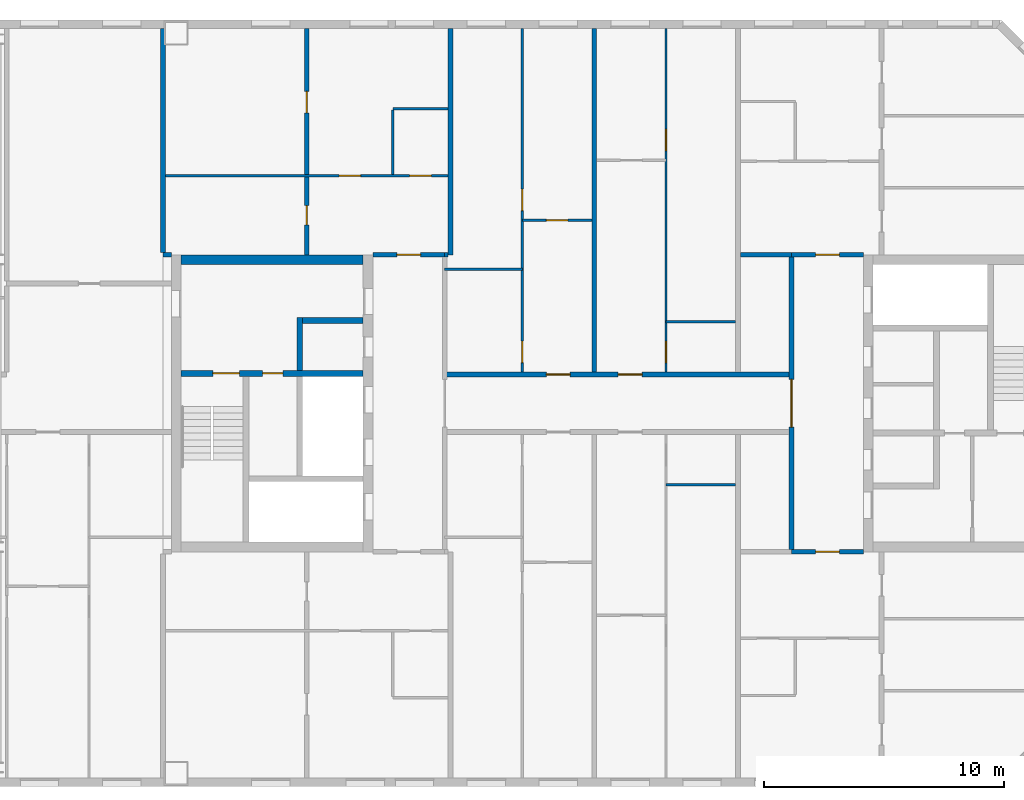
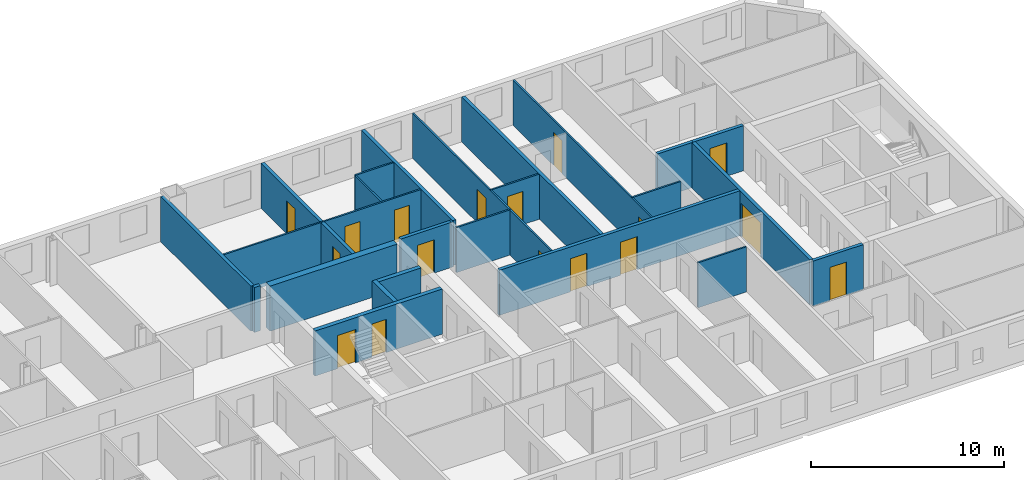
# One storey, part 15 of 19: 25 walls, 17 doors, 17 openings.
"""IFC4 building model written with IfcOpenShell, lengths in metres."""

from ifc_helpers import new_model, si_unit, direction, frame, frame_2d, origin, place, context, subcontext, project, spatial, rectangle, extrude, material, layer, layer_set, type_object, element, fill, save


model = new_model("IFC4")

# Units and contexts
model_context = context("Model", 3, precision=1e-05, world=origin(), true_north=direction((0.0, 1.0)))
body_context = subcontext(model_context, "Body", "Model", "MODEL_VIEW")
ifc_project = project(units=[si_unit("LENGTHUNIT", "METRE"), si_unit("AREAUNIT", "SQUARE_METRE"), si_unit("VOLUMEUNIT", "CUBIC_METRE"), si_unit("PLANEANGLEUNIT", "RADIAN"), si_unit("MASSUNIT", "GRAM", prefix="KILO")], contexts=[model_context])

# Site, building, storey
site_placement = place(None, origin())
site = spatial("IfcSite", under=ifc_project, at=site_placement, CompositionType="ELEMENT")
building_placement = place(site_placement, origin())
building = spatial("IfcBuilding", under=site, at=building_placement, Name="Tuart Gate Housing", CompositionType="ELEMENT")
storey_placement = place(building_placement, frame((0.0, 0.0, 212.10009765625)))
storey = spatial("IfcBuildingStorey", under=building, at=storey_placement, Name="L60", CompositionType="ELEMENT", Elevation=212.10009765625)

# Wall, openings, doors
ifc_material_1 = material(Name="Concrete C40", Category="concrete")
ifc_layer_1 = layer(ifc_material_1, 0.25)
ifc_layer_set_1 = layer_set([ifc_layer_1], Name="Core wall 250 C40")
wall_type_1 = type_object("IfcWallType", Name="Core wall 250 C40", PredefinedType="SHEAR", material=ifc_layer_set_1)
wall_1_placement = place(storey_placement, frame((139.360107421875, 71.25, 0.0), z_axis=(0.0, 0.0, 1.0), x_axis=(-1.0, 0.0, 0.0)))
wall_1 = element("IfcWall", 1, at=wall_1_placement, inside=storey, type_object=wall_type_1, Name="Core wall BG.2", PredefinedType="SHEAR", context=body_context, shape_type="SweptSolid", body=[
    extrude(rectangle(XDim=7.60009765625, YDim=0.25, at=frame_2d((3.800048828125, 0.0))), origin(), (0.0, 0.0, 1.0), 2.849853515625),
])
opening_1_placement = place(wall_1_placement, frame((5.175048828125, 0.0, 0.0)))
opening_1 = element("IfcOpeningElement", 2, at=opening_1_placement, cuts=wall_1, Name="Opening D2242", PredefinedType="OPENING", context=body_context, shape_type="SweptSolid", body=[
    extrude(rectangle(XDim=1.10009765625, YDim=2.10009765625, at=frame_2d((0.550048828125, 1.050048828125))), frame((0.0, 0.135009765625, 0.0), z_axis=(0.0, -1.0, 0.0), x_axis=(1.0, 0.0, 0.0)), (0.0, 0.0, 1.0), 0.27001953125),
])
opening_2_placement = place(wall_1_placement, frame((3.35009765625, 0.0, 0.0)))
opening_2 = element("IfcOpeningElement", 3, at=opening_2_placement, cuts=wall_1, Name="Opening D2241", PredefinedType="OPENING", context=body_context, shape_type="SweptSolid", body=[
    extrude(rectangle(XDim=0.85009765625, YDim=2.10009765625, at=frame_2d((0.425048828125, 1.050048828125))), frame((0.0, 0.135009765625, 0.0), z_axis=(0.0, -1.0, 0.0), x_axis=(1.0, 0.0, 0.0)), (0.0, 0.0, 1.0), 0.27001953125),
])
ifc_material_2 = material(Name="Steel fire door", Category="steel")
door_type_1 = type_object("IfcDoorType", Name="Riser door 850 x 2100", OperationType="SINGLE_SWING_LEFT", PredefinedType="DOOR", material=ifc_material_2)
door_1_placement = place(opening_2_placement, origin())
door_1 = element("IfcDoor", 4, at=door_1_placement, inside=storey, type_object=door_type_1, Name="Service room door BG.W1", OperationType="SINGLE_SWING_LEFT", OverallHeight=2.10009765625, OverallWidth=0.85009765625, PredefinedType="DOOR", context=body_context, shape_type="SweptSolid", body=[
    extrude(rectangle(XDim=0.85009765625, YDim=2.10009765625, at=frame_2d((0.425048828125, 1.050048828125))), frame((0.0, 0.02490234375, 0.0), z_axis=(0.0, -1.0, 0.0), x_axis=(1.0, 0.0, 0.0)), (0.0, 0.0, 1.0), 0.050048828125),
])
fill(opening_2, door_1)
ifc_material_3 = material(Name="Steel fire door", Category="steel")
door_type_2 = type_object("IfcDoorType", Name="Stair door 1100 x 2100", OperationType="SINGLE_SWING_LEFT", PredefinedType="DOOR", material=ifc_material_3)
door_2_placement = place(opening_1_placement, origin())
door_2 = element("IfcDoor", 5, at=door_2_placement, inside=storey, type_object=door_type_2, Name="Stair door BG.SD", OperationType="SINGLE_SWING_LEFT", OverallHeight=2.10009765625, OverallWidth=1.10009765625, PredefinedType="DOOR", context=body_context, shape_type="SweptSolid", body=[
    extrude(rectangle(XDim=1.10009765625, YDim=2.10009765625, at=frame_2d((0.550048828125, 1.050048828125))), frame((0.0, 0.02490234375, 0.0), z_axis=(0.0, -1.0, 0.0), x_axis=(1.0, 0.0, 0.0)), (0.0, 0.0, 1.0), 0.050048828125),
])
fill(opening_1, door_2)

# Walls
wall_2_placement = place(storey_placement, frame((139.360107421875, 73.449951171875, 0.0), z_axis=(0.0, 0.0, 1.0), x_axis=(-1.0, 0.0, 0.0)))
element("IfcWall", 6, at=wall_2_placement, inside=storey, type_object=wall_type_1, Name="Core wall BG.3", PredefinedType="SHEAR", context=body_context, shape_type="SweptSolid", body=[
    extrude(rectangle(XDim=2.525146484375, YDim=0.25, at=frame_2d((1.2626953125, 0.0))), origin(), (0.0, 0.0, 1.0), 2.849853515625),
])
wall_3_placement = place(storey_placement, frame((136.7099609375, 71.375, 0.0), z_axis=(0.0, 0.0, 1.0), x_axis=(0.0, 1.0, 0.0)))
element("IfcWall", 7, at=wall_3_placement, inside=storey, type_object=wall_type_1, Name="Core wall BG.5", PredefinedType="SHEAR", context=body_context, shape_type="SweptSolid", body=[
    extrude(rectangle(XDim=2.199951171875, YDim=0.25, at=frame_2d((1.10009765625, 0.0))), origin(), (0.0, 0.0, 1.0), 2.849853515625),
])
ifc_material_4 = material(Name="Concrete C40", Category="concrete")
ifc_layer_2 = layer(ifc_material_4, 0.39990234375)
ifc_layer_set_2 = layer_set([ifc_layer_2], Name="Core wall 400 C40")
wall_type_2 = type_object("IfcWallType", Name="Core wall 400 C40", PredefinedType="SHEAR", material=ifc_layer_set_2)
wall_4_placement = place(storey_placement, frame((139.360107421875, 76.0, 0.0), z_axis=(0.0, 0.0, 1.0), x_axis=(-1.0, 0.0, 0.0)))
element("IfcWall", 8, at=wall_4_placement, inside=storey, type_object=wall_type_2, Name="Core wall BG north", PredefinedType="SHEAR", context=body_context, shape_type="SweptSolid", body=[
    extrude(rectangle(XDim=7.60009765625, YDim=0.39990234375, at=frame_2d((3.800048828125, 0.0))), origin(), (0.0, 0.0, 1.0), 2.849853515625),
])

# Wall, openings, doors
ifc_material_5 = material(Name="Concrete masonry 15 MPa", Category="masonry")
ifc_layer_3 = layer(ifc_material_5, 0.199951171875)
ifc_layer_set_3 = layer_set([ifc_layer_3], Name="Corridor wall masonry 200")
wall_type_3 = type_object("IfcWallType", Name="Corridor wall masonry 200", PredefinedType="PARTITIONING", material=ifc_layer_set_3)
wall_5_placement = place(storey_placement, frame((142.760009765625, 71.199951171875, 0.0), z_axis=(0.0, 0.0, 1.0), x_axis=(1.0, 0.0, 0.0)))
wall_5 = element("IfcWall", 9, at=wall_5_placement, inside=storey, type_object=wall_type_3, Name="Corridor wall masonry 200", PredefinedType="PARTITIONING", context=body_context, shape_type="SweptSolid", body=[
    extrude(rectangle(XDim=14.47998046875, YDim=0.199951171875, at=frame_2d((7.239990234375, 0.0))), origin(), (0.0, 0.0, 1.0), 2.849853515625),
])
opening_3_placement = place(wall_5_placement, frame((4.239990234375, 0.0, 0.0)))
opening_3 = element("IfcOpeningElement", 10, at=opening_3_placement, cuts=wall_5, Name="Opening D2243", PredefinedType="OPENING", context=body_context, shape_type="SweptSolid", body=[
    extrude(rectangle(XDim=1.0, YDim=2.10009765625, at=frame_2d((0.5, 1.050048828125))), frame((0.0, 0.10986328125, 0.0), z_axis=(0.0, -1.0, 0.0), x_axis=(1.0, 0.0, 0.0)), (0.0, 0.0, 1.0), 0.219970703125),
])
opening_4_placement = place(wall_5_placement, frame((7.239990234375, 0.0, 0.0)))
opening_4 = element("IfcOpeningElement", 11, at=opening_4_placement, cuts=wall_5, Name="Opening D2244", PredefinedType="OPENING", context=body_context, shape_type="SweptSolid", body=[
    extrude(rectangle(XDim=1.0, YDim=2.10009765625, at=frame_2d((0.5, 1.050048828125))), frame((0.0, 0.10986328125, 0.0), z_axis=(0.0, -1.0, 0.0), x_axis=(1.0, 0.0, 0.0)), (0.0, 0.0, 1.0), 0.219970703125),
])
ifc_material_6 = material(Name="Timber door leaf in steel frame", Category="steel")
door_type_3 = type_object("IfcDoorType", Name="Flat entrance door 1000", OperationType="SINGLE_SWING_LEFT", PredefinedType="DOOR", material=ifc_material_6)
door_3_placement = place(opening_3_placement, origin())
door_3 = element("IfcDoor", 12, at=door_3_placement, inside=storey, type_object=door_type_3, Name="Flat entrance door", OperationType="SINGLE_SWING_LEFT", OverallHeight=2.10009765625, OverallWidth=1.0, PredefinedType="DOOR", context=body_context, shape_type="SweptSolid", body=[
    extrude(rectangle(XDim=1.0, YDim=2.10009765625, at=frame_2d((0.5, 1.050048828125))), frame((0.0, 0.02490234375, 0.0), z_axis=(0.0, -1.0, 0.0), x_axis=(1.0, 0.0, 0.0)), (0.0, 0.0, 1.0), 0.050048828125),
])
fill(opening_3, door_3)
door_4_placement = place(opening_4_placement, origin())
door_4 = element("IfcDoor", 13, at=door_4_placement, inside=storey, type_object=door_type_3, Name="Flat entrance door", OperationType="SINGLE_SWING_LEFT", OverallHeight=2.10009765625, OverallWidth=1.0, PredefinedType="DOOR", context=body_context, shape_type="SweptSolid", body=[
    extrude(rectangle(XDim=1.0, YDim=2.10009765625, at=frame_2d((0.5, 1.050048828125))), frame((0.0, 0.02490234375, 0.0), z_axis=(0.0, -1.0, 0.0), x_axis=(1.0, 0.0, 0.0)), (0.0, 0.0, 1.0), 0.050048828125),
])
fill(opening_4, door_4)

# Wall, opening, door
ifc_material_7 = material(Name="Concrete masonry 15 MPa", Category="masonry")
ifc_layer_4 = layer(ifc_material_7, 0.199951171875)
ifc_layer_set_4 = layer_set([ifc_layer_4], Name="Enclosure wall masonry 200")
wall_type_4 = type_object("IfcWallType", Name="Enclosure wall masonry 200", PredefinedType="PARTITIONING", material=ifc_layer_set_4)
wall_6_placement = place(storey_placement, frame((157.239990234375, 63.800048828125, 0.0), z_axis=(0.0, 0.0, 1.0), x_axis=(1.0, 0.0, 0.0)))
wall_6 = element("IfcWall", 14, at=wall_6_placement, inside=storey, type_object=wall_type_4, Name="Enclosure wall masonry 200", PredefinedType="PARTITIONING", context=body_context, shape_type="SweptSolid", body=[
    extrude(rectangle(XDim=3.0, YDim=0.199951171875, at=frame_2d((1.5, 0.0))), origin(), (0.0, 0.0, 1.0), 2.849853515625),
])
opening_5_placement = place(wall_6_placement, frame((1.0, 0.0, 0.0)))
opening_5 = element("IfcOpeningElement", 15, at=opening_5_placement, cuts=wall_6, Name="Opening D2260", PredefinedType="OPENING", context=body_context, shape_type="SweptSolid", body=[
    extrude(rectangle(XDim=1.0, YDim=2.10009765625, at=frame_2d((0.5, 1.050048828125))), frame((0.0, 0.10986328125, 0.0), z_axis=(0.0, -1.0, 0.0), x_axis=(1.0, 0.0, 0.0)), (0.0, 0.0, 1.0), 0.219970703125),
])
door_5_placement = place(opening_5_placement, frame((1.0, 0.0, 0.0), z_axis=(0.0, 0.0, 1.0), x_axis=(-1.0, 0.0, 0.0)))
door_5 = element("IfcDoor", 16, at=door_5_placement, inside=storey, type_object=door_type_3, Name="Flat entrance door", OperationType="SINGLE_SWING_LEFT", OverallHeight=2.10009765625, OverallWidth=1.0, PredefinedType="DOOR", context=body_context, shape_type="SweptSolid", body=[
    extrude(rectangle(XDim=1.0, YDim=2.10009765625, at=frame_2d((0.5, 1.050048828125))), frame((0.0, 0.025146484375, 0.0), z_axis=(0.0, -1.0, 0.0), x_axis=(1.0, 0.0, 0.0)), (0.0, 0.0, 1.0), 0.050048828125),
])
fill(opening_5, door_5)

wall_7_placement = place(storey_placement, frame((139.760009765625, 76.199951171875, 0.0), z_axis=(0.0, 0.0, 1.0), x_axis=(1.0, 0.0, 0.0)))
wall_7 = element("IfcWall", 17, at=wall_7_placement, inside=storey, type_object=wall_type_4, Name="Enclosure wall masonry 200", PredefinedType="PARTITIONING", context=body_context, shape_type="SweptSolid", body=[
    extrude(rectangle(XDim=3.0, YDim=0.199951171875, at=frame_2d((1.5, 0.0))), origin(), (0.0, 0.0, 1.0), 2.849853515625),
])
opening_6_placement = place(wall_7_placement, frame((1.0, 0.0, 0.0)))
opening_6 = element("IfcOpeningElement", 18, at=opening_6_placement, cuts=wall_7, Name="Opening D2239", PredefinedType="OPENING", context=body_context, shape_type="SweptSolid", body=[
    extrude(rectangle(XDim=1.0, YDim=2.10009765625, at=frame_2d((0.5, 1.050048828125))), frame((0.0, 0.10986328125, 0.0), z_axis=(0.0, -1.0, 0.0), x_axis=(1.0, 0.0, 0.0)), (0.0, 0.0, 1.0), 0.219970703125),
])
ifc_material_8 = material(Name="Timber door leaf in steel frame", Category="steel")
door_type_4 = type_object("IfcDoorType", Name="Flat entrance door 1000 RH", OperationType="SINGLE_SWING_RIGHT", PredefinedType="DOOR", material=ifc_material_8)
door_6_placement = place(opening_6_placement, origin())
door_6 = element("IfcDoor", 19, at=door_6_placement, inside=storey, type_object=door_type_4, Name="Flat entrance door", OperationType="SINGLE_SWING_RIGHT", OverallHeight=2.10009765625, OverallWidth=1.0, PredefinedType="DOOR", context=body_context, shape_type="SweptSolid", body=[
    extrude(rectangle(XDim=1.0, YDim=2.10009765625, at=frame_2d((0.5, 1.050048828125))), frame((0.0, 0.02490234375, 0.0), z_axis=(0.0, -1.0, 0.0), x_axis=(1.0, 0.0, 0.0)), (0.0, 0.0, 1.0), 0.050048828125),
])
fill(opening_6, door_6)

wall_8_placement = place(storey_placement, frame((157.239990234375, 76.199951171875, 0.0), z_axis=(0.0, 0.0, 1.0), x_axis=(1.0, 0.0, 0.0)))
wall_8 = element("IfcWall", 20, at=wall_8_placement, inside=storey, type_object=wall_type_4, Name="Enclosure wall masonry 200", PredefinedType="PARTITIONING", context=body_context, shape_type="SweptSolid", body=[
    extrude(rectangle(XDim=3.0, YDim=0.199951171875, at=frame_2d((1.5, 0.0))), origin(), (0.0, 0.0, 1.0), 2.849853515625),
])
opening_7_placement = place(wall_8_placement, frame((1.0, 0.0, 0.0)))
opening_7 = element("IfcOpeningElement", 21, at=opening_7_placement, cuts=wall_8, Name="Opening D2240", PredefinedType="OPENING", context=body_context, shape_type="SweptSolid", body=[
    extrude(rectangle(XDim=1.0, YDim=2.10009765625, at=frame_2d((0.5, 1.050048828125))), frame((0.0, 0.10986328125, 0.0), z_axis=(0.0, -1.0, 0.0), x_axis=(1.0, 0.0, 0.0)), (0.0, 0.0, 1.0), 0.219970703125),
])
door_7_placement = place(opening_7_placement, origin())
door_7 = element("IfcDoor", 22, at=door_7_placement, inside=storey, type_object=door_type_4, Name="Flat entrance door", OperationType="SINGLE_SWING_RIGHT", OverallHeight=2.10009765625, OverallWidth=1.0, PredefinedType="DOOR", context=body_context, shape_type="SweptSolid", body=[
    extrude(rectangle(XDim=1.0, YDim=2.10009765625, at=frame_2d((0.5, 1.050048828125))), frame((0.0, 0.02490234375, 0.0), z_axis=(0.0, -1.0, 0.0), x_axis=(1.0, 0.0, 0.0)), (0.0, 0.0, 1.0), 0.050048828125),
])
fill(opening_7, door_7)

ifc_material_9 = material(Name="Plasterboard partition")
ifc_layer_5 = layer(ifc_material_9, 0.199951171875)
ifc_layer_set_5 = layer_set([ifc_layer_5], Name="Lobby wall 200")
wall_type_5 = type_object("IfcWallType", Name="Lobby wall 200", PredefinedType="PARTITIONING", material=ifc_layer_set_5)
wall_9_placement = place(storey_placement, frame((157.239990234375, 63.89990234375, 0.0), z_axis=(0.0, 0.0, 1.0), x_axis=(0.0, 1.0, 0.0)))
wall_9 = element("IfcWall", 23, at=wall_9_placement, inside=storey, type_object=wall_type_5, Name="Lift lobby wall BK", PredefinedType="PARTITIONING", context=body_context, shape_type="SweptSolid", body=[
    extrude(rectangle(XDim=12.2001953125, YDim=0.199951171875, at=frame_2d((6.10009765625, 0.0))), origin(), (0.0, 0.0, 1.0), 2.849853515625),
])
opening_8_placement = place(wall_9_placement, frame((5.10009765625, 0.0, 0.0)))
opening_8 = element("IfcOpeningElement", 24, at=opening_8_placement, cuts=wall_9, Name="Opening D2249", PredefinedType="OPENING", context=body_context, shape_type="SweptSolid", body=[
    extrude(rectangle(XDim=2.0, YDim=2.10009765625, at=frame_2d((1.0, 1.050048828125))), frame((0.0, 0.10986328125, 0.0), z_axis=(0.0, -1.0, 0.0), x_axis=(1.0, 0.0, 0.0)), (0.0, 0.0, 1.0), 0.219970703125),
])
ifc_material_10 = material(Name="Steel fire door", Category="steel")
door_type_5 = type_object("IfcDoorType", Name="Smoke door 2000 x 2100", OperationType="DOUBLE_DOOR_SINGLE_SWING", PredefinedType="DOOR", material=ifc_material_10)
door_8_placement = place(opening_8_placement, frame((2.0, 0.0, 0.0), z_axis=(0.0, 0.0, 1.0), x_axis=(-1.0, 0.0, 0.0)))
door_8 = element("IfcDoor", 25, at=door_8_placement, inside=storey, type_object=door_type_5, Name="Lift lobby smoke door BK", OperationType="DOUBLE_DOOR_SINGLE_SWING", OverallHeight=2.10009765625, OverallWidth=2.0, PredefinedType="DOOR", context=body_context, shape_type="SweptSolid", body=[
    extrude(rectangle(XDim=2.0, YDim=2.10009765625, at=frame_2d((1.0, 1.050048828125))), frame((0.0, 0.025146484375, 0.0), z_axis=(0.0, -1.0, 0.0), x_axis=(1.0, 0.0, 0.0)), (0.0, 0.0, 1.0), 0.050048828125),
])
fill(opening_8, door_8)

# Walls
ifc_material_11 = material(Name="Gypsum board on steel studs", Category="steel")
ifc_layer_6 = layer(ifc_material_11, 0.10009765625)
ifc_layer_set_6 = layer_set([ifc_layer_6], Name="Partition 100")
wall_type_6 = type_object("IfcWallType", Name="Partition 100", PredefinedType="PARTITIONING", material=ifc_layer_set_6)
for number, where, z_axis, x_axis, name in (
    (26, (152.0, 66.60009765625, 0.0), (0.0, 0.0, 1.0), (1.0, 0.0, 0.0), "Partition 100"),
    (27, (152.0, 73.39990234375, 0.0), (0.0, 0.0, 1.0), (1.0, 0.0, 0.0), "Partition 100"),
):
    element("IfcWall", number, at=place(storey_placement, frame(where, z_axis=z_axis, x_axis=x_axis)), inside=storey, type_object=wall_type_6, Name=name, PredefinedType="PARTITIONING", context=body_context, shape_type="SweptSolid", body=[
        extrude(rectangle(XDim=2.89990234375, YDim=0.10009765625, at=frame_2d((1.449951171875, 0.0))), origin(), (0.0, 0.0, 1.0), 2.849853515625),
    ])
wall_10_placement = place(storey_placement, frame((142.760009765625, 75.60009765625, 0.0), z_axis=(0.0, 0.0, 1.0), x_axis=(1.0, 0.0, 0.0)))
element("IfcWall", 28, at=wall_10_placement, inside=storey, type_object=wall_type_6, Name="Partition 100", PredefinedType="PARTITIONING", context=body_context, shape_type="SweptSolid", body=[
    extrude(rectangle(XDim=3.239990234375, YDim=0.10009765625, at=frame_2d((1.6201171875, 0.0))), origin(), (0.0, 0.0, 1.0), 2.849853515625),
])

# Wall, opening, door
wall_11_placement = place(storey_placement, frame((146.0, 77.639892578125, 0.0), z_axis=(0.0, 0.0, 1.0), x_axis=(1.0, 0.0, 0.0)))
wall_11 = element("IfcWall", 29, at=wall_11_placement, inside=storey, type_object=wall_type_6, Name="Partition 100", PredefinedType="PARTITIONING", context=body_context, shape_type="SweptSolid", body=[
    extrude(rectangle(XDim=2.89990234375, YDim=0.10009765625, at=frame_2d((1.449951171875, 0.0))), origin(), (0.0, 0.0, 1.0), 2.849853515625),
])
opening_9_placement = place(wall_11_placement, frame((1.0, 0.0, 0.0)))
opening_9 = element("IfcOpeningElement", 30, at=opening_9_placement, cuts=wall_11, Name="Opening D2238", PredefinedType="OPENING", context=body_context, shape_type="SweptSolid", body=[
    extrude(rectangle(XDim=0.89990234375, YDim=2.10009765625, at=frame_2d((0.449951171875, 1.050048828125))), frame((0.0, 0.06005859375, 0.0), z_axis=(0.0, -1.0, 0.0), x_axis=(1.0, 0.0, 0.0)), (0.0, 0.0, 1.0), 0.1201171875),
])
ifc_material_12 = material(Name="Timber door leaf in steel frame", Category="steel")
door_type_6 = type_object("IfcDoorType", Name="Internal door 900 RH", OperationType="SINGLE_SWING_RIGHT", PredefinedType="DOOR", material=ifc_material_12)
door_9_placement = place(opening_9_placement, frame((0.89990234375, 0.0, 0.0), z_axis=(0.0, 0.0, 1.0), x_axis=(-1.0, 0.0, 0.0)))
door_9 = element("IfcDoor", 31, at=door_9_placement, inside=storey, type_object=door_type_6, Name="Internal door", OperationType="SINGLE_SWING_RIGHT", OverallHeight=2.10009765625, OverallWidth=0.89990234375, PredefinedType="DOOR", context=body_context, shape_type="SweptSolid", body=[
    extrude(rectangle(XDim=0.89990234375, YDim=2.10009765625, at=frame_2d((0.449951171875, 1.050048828125))), frame((0.0, 0.025146484375, 0.0), z_axis=(0.0, -1.0, 0.0), x_axis=(1.0, 0.0, 0.0)), (0.0, 0.0, 1.0), 0.050048828125),
])
fill(opening_9, door_9)

# Wall, openings, doors
wall_12_placement = place(storey_placement, frame((131.10009765625, 79.5, 0.0), z_axis=(0.0, 0.0, 1.0), x_axis=(1.0, 0.0, 0.0)))
wall_12 = element("IfcWall", 32, at=wall_12_placement, inside=storey, type_object=wall_type_6, Name="Partition 100", PredefinedType="PARTITIONING", context=body_context, shape_type="SweptSolid", body=[
    extrude(rectangle(XDim=11.7998046875, YDim=0.10009765625, at=frame_2d((5.89990234375, 0.0))), origin(), (0.0, 0.0, 1.0), 2.849853515625),
])
opening_10_placement = place(wall_12_placement, frame((7.25, 0.0, 0.0)))
opening_10 = element("IfcOpeningElement", 33, at=opening_10_placement, cuts=wall_12, Name="Opening D2233", PredefinedType="OPENING", context=body_context, shape_type="SweptSolid", body=[
    extrude(rectangle(XDim=0.89990234375, YDim=2.10009765625, at=frame_2d((0.449951171875, 1.050048828125))), frame((0.0, 0.06005859375, 0.0), z_axis=(0.0, -1.0, 0.0), x_axis=(1.0, 0.0, 0.0)), (0.0, 0.0, 1.0), 0.1201171875),
])
opening_11_placement = place(wall_12_placement, frame((10.199951171875, 0.0, 0.0)))
opening_11 = element("IfcOpeningElement", 34, at=opening_11_placement, cuts=wall_12, Name="Opening D2232", PredefinedType="OPENING", context=body_context, shape_type="SweptSolid", body=[
    extrude(rectangle(XDim=0.89990234375, YDim=2.10009765625, at=frame_2d((0.449951171875, 1.050048828125))), frame((0.0, 0.06005859375, 0.0), z_axis=(0.0, -1.0, 0.0), x_axis=(1.0, 0.0, 0.0)), (0.0, 0.0, 1.0), 0.1201171875),
])
ifc_material_13 = material(Name="Timber door leaf in steel frame", Category="steel")
door_type_7 = type_object("IfcDoorType", Name="Bathroom door 900", OperationType="SINGLE_SWING_LEFT", PredefinedType="DOOR", material=ifc_material_13)
door_10_placement = place(opening_11_placement, origin())
door_10 = element("IfcDoor", 35, at=door_10_placement, inside=storey, type_object=door_type_7, Name="Bathroom door", OperationType="SINGLE_SWING_LEFT", OverallHeight=2.10009765625, OverallWidth=0.89990234375, PredefinedType="DOOR", context=body_context, shape_type="SweptSolid", body=[
    extrude(rectangle(XDim=0.89990234375, YDim=2.10009765625, at=frame_2d((0.449951171875, 1.050048828125))), frame((0.0, 0.02490234375, 0.0), z_axis=(0.0, -1.0, 0.0), x_axis=(1.0, 0.0, 0.0)), (0.0, 0.0, 1.0), 0.050048828125),
])
fill(opening_11, door_10)
door_11_placement = place(opening_10_placement, frame((0.89990234375, 0.0, 0.0), z_axis=(0.0, 0.0, 1.0), x_axis=(-1.0, 0.0, 0.0)))
door_11 = element("IfcDoor", 36, at=door_11_placement, inside=storey, type_object=door_type_6, Name="Internal door", OperationType="SINGLE_SWING_RIGHT", OverallHeight=2.10009765625, OverallWidth=0.89990234375, PredefinedType="DOOR", context=body_context, shape_type="SweptSolid", body=[
    extrude(rectangle(XDim=0.89990234375, YDim=2.10009765625, at=frame_2d((0.449951171875, 1.050048828125))), frame((0.0, 0.025146484375, 0.0), z_axis=(0.0, -1.0, 0.0), x_axis=(1.0, 0.0, 0.0)), (0.0, 0.0, 1.0), 0.050048828125),
])
fill(opening_10, door_11)

# Walls
wall_13_placement = place(storey_placement, frame((140.60009765625, 82.300048828125, 0.0), z_axis=(0.0, 0.0, 1.0), x_axis=(1.0, 0.0, 0.0)))
element("IfcWall", 37, at=wall_13_placement, inside=storey, type_object=wall_type_6, Name="Partition 100", PredefinedType="PARTITIONING", context=body_context, shape_type="SweptSolid", body=[
    extrude(rectangle(XDim=2.2998046875, YDim=0.10009765625, at=frame_2d((1.14990234375, 0.0))), origin(), (0.0, 0.0, 1.0), 2.849853515625),
])
wall_14_placement = place(storey_placement, frame((140.60009765625, 79.550048828125, 0.0), z_axis=(0.0, 0.0, 1.0), x_axis=(0.0, 1.0, 0.0)))
element("IfcWall", 38, at=wall_14_placement, inside=storey, type_object=wall_type_6, Name="Partition 100", PredefinedType="PARTITIONING", context=body_context, shape_type="SweptSolid", body=[
    extrude(rectangle(XDim=2.699951171875, YDim=0.10009765625, at=frame_2d((1.35009765625, 0.0))), origin(), (0.0, 0.0, 1.0), 2.849853515625),
])

# Wall, openings, doors
wall_15_placement = place(storey_placement, frame((146.0, 71.300048828125, 0.0), z_axis=(0.0, 0.0, 1.0), x_axis=(0.0, 1.0, 0.0)))
wall_15 = element("IfcWall", 39, at=wall_15_placement, inside=storey, type_object=wall_type_6, Name="Partition 100", PredefinedType="PARTITIONING", context=body_context, shape_type="SweptSolid", body=[
    extrude(rectangle(XDim=14.33984375, YDim=0.10009765625, at=frame_2d((7.169921875, 0.0))), origin(), (0.0, 0.0, 1.0), 2.849853515625),
])
opening_12_placement = place(wall_15_placement, frame((6.739990234375, 0.0, 0.0)))
opening_12 = element("IfcOpeningElement", 40, at=opening_12_placement, cuts=wall_15, Name="Opening D2235", PredefinedType="OPENING", context=body_context, shape_type="SweptSolid", body=[
    extrude(rectangle(XDim=0.89990234375, YDim=2.10009765625, at=frame_2d((0.449951171875, 1.050048828125))), frame((0.0, 0.06005859375, 0.0), z_axis=(0.0, -1.0, 0.0), x_axis=(1.0, 0.0, 0.0)), (0.0, 0.0, 1.0), 0.1201171875),
])
opening_13_placement = place(wall_15_placement, frame((0.39990234375, 0.0, 0.0)))
opening_13 = element("IfcOpeningElement", 41, at=opening_13_placement, cuts=wall_15, Name="Opening D2234", PredefinedType="OPENING", context=body_context, shape_type="SweptSolid", body=[
    extrude(rectangle(XDim=0.89990234375, YDim=2.10009765625, at=frame_2d((0.449951171875, 1.050048828125))), frame((0.0, 0.06005859375, 0.0), z_axis=(0.0, -1.0, 0.0), x_axis=(1.0, 0.0, 0.0)), (0.0, 0.0, 1.0), 0.1201171875),
])
door_12_placement = place(opening_13_placement, origin())
door_12 = element("IfcDoor", 42, at=door_12_placement, inside=storey, type_object=door_type_7, Name="Bathroom door", OperationType="SINGLE_SWING_LEFT", OverallHeight=2.10009765625, OverallWidth=0.89990234375, PredefinedType="DOOR", context=body_context, shape_type="SweptSolid", body=[
    extrude(rectangle(XDim=0.89990234375, YDim=2.10009765625, at=frame_2d((0.449951171875, 1.050048828125))), frame((0.0, 0.02490234375, 0.0), z_axis=(0.0, -1.0, 0.0), x_axis=(1.0, 0.0, 0.0)), (0.0, 0.0, 1.0), 0.050048828125),
])
fill(opening_13, door_12)
ifc_material_14 = material(Name="Timber door leaf in steel frame", Category="steel")
door_type_8 = type_object("IfcDoorType", Name="Internal door 900", OperationType="SINGLE_SWING_LEFT", PredefinedType="DOOR", material=ifc_material_14)
door_13_placement = place(opening_12_placement, origin())
door_13 = element("IfcDoor", 43, at=door_13_placement, inside=storey, type_object=door_type_8, Name="Internal door", OperationType="SINGLE_SWING_LEFT", OverallHeight=2.10009765625, OverallWidth=0.89990234375, PredefinedType="DOOR", context=body_context, shape_type="SweptSolid", body=[
    extrude(rectangle(XDim=0.89990234375, YDim=2.10009765625, at=frame_2d((0.449951171875, 1.050048828125))), frame((0.0, 0.02490234375, 0.0), z_axis=(0.0, -1.0, 0.0), x_axis=(1.0, 0.0, 0.0)), (0.0, 0.0, 1.0), 0.050048828125),
])
fill(opening_12, door_13)

wall_16_placement = place(storey_placement, frame((152.0, 71.300048828125, 0.0), z_axis=(0.0, 0.0, 1.0), x_axis=(0.0, 1.0, 0.0)))
wall_16 = element("IfcWall", 44, at=wall_16_placement, inside=storey, type_object=wall_type_6, Name="Partition 100", PredefinedType="PARTITIONING", context=body_context, shape_type="SweptSolid", body=[
    extrude(rectangle(XDim=14.33984375, YDim=0.10009765625, at=frame_2d((7.169921875, 0.0))), origin(), (0.0, 0.0, 1.0), 2.849853515625),
])
opening_14_placement = place(wall_16_placement, frame((9.239990234375, 0.0, 0.0)))
opening_14 = element("IfcOpeningElement", 45, at=opening_14_placement, cuts=wall_16, Name="Opening D2237", PredefinedType="OPENING", context=body_context, shape_type="SweptSolid", body=[
    extrude(rectangle(XDim=0.89990234375, YDim=2.10009765625, at=frame_2d((0.449951171875, 1.050048828125))), frame((0.0, 0.06005859375, 0.0), z_axis=(0.0, -1.0, 0.0), x_axis=(1.0, 0.0, 0.0)), (0.0, 0.0, 1.0), 0.1201171875),
])
opening_15_placement = place(wall_16_placement, frame((0.39990234375, 0.0, 0.0)))
opening_15 = element("IfcOpeningElement", 46, at=opening_15_placement, cuts=wall_16, Name="Opening D2236", PredefinedType="OPENING", context=body_context, shape_type="SweptSolid", body=[
    extrude(rectangle(XDim=0.89990234375, YDim=2.10009765625, at=frame_2d((0.449951171875, 1.050048828125))), frame((0.0, 0.06005859375, 0.0), z_axis=(0.0, -1.0, 0.0), x_axis=(1.0, 0.0, 0.0)), (0.0, 0.0, 1.0), 0.1201171875),
])
ifc_material_15 = material(Name="Timber door leaf in steel frame", Category="steel")
door_type_9 = type_object("IfcDoorType", Name="Bathroom door 900 RH", OperationType="SINGLE_SWING_RIGHT", PredefinedType="DOOR", material=ifc_material_15)
door_14_placement = place(opening_15_placement, frame((0.89990234375, 0.0, 0.0), z_axis=(0.0, 0.0, 1.0), x_axis=(-1.0, 0.0, 0.0)))
door_14 = element("IfcDoor", 47, at=door_14_placement, inside=storey, type_object=door_type_9, Name="Bathroom door", OperationType="SINGLE_SWING_RIGHT", OverallHeight=2.10009765625, OverallWidth=0.89990234375, PredefinedType="DOOR", context=body_context, shape_type="SweptSolid", body=[
    extrude(rectangle(XDim=0.89990234375, YDim=2.10009765625, at=frame_2d((0.449951171875, 1.050048828125))), frame((0.0, 0.025146484375, 0.0), z_axis=(0.0, -1.0, 0.0), x_axis=(1.0, 0.0, 0.0)), (0.0, 0.0, 1.0), 0.050048828125),
])
fill(opening_15, door_14)
door_15_placement = place(opening_14_placement, frame((0.89990234375, 0.0, 0.0), z_axis=(0.0, 0.0, 1.0), x_axis=(-1.0, 0.0, 0.0)))
door_15 = element("IfcDoor", 48, at=door_15_placement, inside=storey, type_object=door_type_8, Name="Internal door", OperationType="SINGLE_SWING_LEFT", OverallHeight=2.10009765625, OverallWidth=0.89990234375, PredefinedType="DOOR", context=body_context, shape_type="SweptSolid", body=[
    extrude(rectangle(XDim=0.89990234375, YDim=2.10009765625, at=frame_2d((0.449951171875, 1.050048828125))), frame((0.0, 0.025146484375, 0.0), z_axis=(0.0, -1.0, 0.0), x_axis=(1.0, 0.0, 0.0)), (0.0, 0.0, 1.0), 0.050048828125),
])
fill(opening_14, door_15)

ifc_material_16 = material(Name="Concrete C40", Category="concrete")
ifc_layer_7 = layer(ifc_material_16, 0.199951171875)
ifc_layer_set_7 = layer_set([ifc_layer_7], Name="Party wall concrete C40 200")
wall_type_7 = type_object("IfcWallType", Name="Party wall concrete C40 200", PredefinedType="SOLIDWALL", material=ifc_layer_set_7)
wall_17_placement = place(storey_placement, frame((137.0, 76.199951171875, 0.0), z_axis=(0.0, 0.0, 1.0), x_axis=(0.0, 1.0, 0.0)))
wall_17 = element("IfcWall", 49, at=wall_17_placement, inside=storey, type_object=wall_type_7, Name="Party wall concrete C40 200", PredefinedType="SOLIDWALL", context=body_context, shape_type="SweptSolid", body=[
    extrude(rectangle(XDim=9.43994140625, YDim=0.199951171875, at=frame_2d((4.719970703125, 0.0))), origin(), (0.0, 0.0, 1.0), 2.849853515625),
])
opening_16_placement = place(wall_17_placement, frame((5.919921875, 0.0, 0.0)))
opening_16 = element("IfcOpeningElement", 50, at=opening_16_placement, cuts=wall_17, Name="Opening D2224", PredefinedType="OPENING", context=body_context, shape_type="SweptSolid", body=[
    extrude(rectangle(XDim=0.89990234375, YDim=2.10009765625, at=frame_2d((0.449951171875, 1.050048828125))), frame((0.0, 0.10986328125, 0.0), z_axis=(0.0, -1.0, 0.0), x_axis=(1.0, 0.0, 0.0)), (0.0, 0.0, 1.0), 0.219970703125),
])
opening_17_placement = place(wall_17_placement, frame((1.25, 0.0, 0.0)))
opening_17 = element("IfcOpeningElement", 51, at=opening_17_placement, cuts=wall_17, Name="Opening D2225", PredefinedType="OPENING", context=body_context, shape_type="SweptSolid", body=[
    extrude(rectangle(XDim=0.800048828125, YDim=2.10009765625, at=frame_2d((0.39990234375, 1.050048828125))), frame((0.0, 0.10986328125, 0.0), z_axis=(0.0, -1.0, 0.0), x_axis=(1.0, 0.0, 0.0)), (0.0, 0.0, 1.0), 0.219970703125),
])
door_16_placement = place(opening_16_placement, origin())
door_16 = element("IfcDoor", 52, at=door_16_placement, inside=storey, type_object=door_type_8, Name="Internal door", OperationType="SINGLE_SWING_LEFT", OverallHeight=2.10009765625, OverallWidth=0.89990234375, PredefinedType="DOOR", context=body_context, shape_type="SweptSolid", body=[
    extrude(rectangle(XDim=0.89990234375, YDim=2.10009765625, at=frame_2d((0.449951171875, 1.050048828125))), frame((0.0, 0.02490234375, 0.0), z_axis=(0.0, -1.0, 0.0), x_axis=(1.0, 0.0, 0.0)), (0.0, 0.0, 1.0), 0.050048828125),
])
fill(opening_16, door_16)
ifc_material_17 = material(Name="Timber door leaf in steel frame", Category="steel")
door_type_10 = type_object("IfcDoorType", Name="Store door 800", OperationType="SINGLE_SWING_LEFT", PredefinedType="DOOR", material=ifc_material_17)
door_17_placement = place(opening_17_placement, origin())
door_17 = element("IfcDoor", 53, at=door_17_placement, inside=storey, type_object=door_type_10, Name="Store door", OperationType="SINGLE_SWING_LEFT", OverallHeight=2.10009765625, OverallWidth=0.800048828125, PredefinedType="DOOR", context=body_context, shape_type="SweptSolid", body=[
    extrude(rectangle(XDim=0.800048828125, YDim=2.10009765625, at=frame_2d((0.39990234375, 1.050048828125))), frame((0.0, 0.02490234375, 0.0), z_axis=(0.0, -1.0, 0.0), x_axis=(1.0, 0.0, 0.0)), (0.0, 0.0, 1.0), 0.050048828125),
])
fill(opening_17, door_17)

# Walls
wall_18_placement = place(storey_placement, frame((143.0, 76.199951171875, 0.0), z_axis=(0.0, 0.0, 1.0), x_axis=(0.0, 1.0, 0.0)))
element("IfcWall", 54, at=wall_18_placement, inside=storey, type_object=wall_type_7, Name="Party wall concrete C40 200", PredefinedType="SOLIDWALL", context=body_context, shape_type="SweptSolid", body=[
    extrude(rectangle(XDim=9.43994140625, YDim=0.199951171875, at=frame_2d((4.719970703125, 0.0))), origin(), (0.0, 0.0, 1.0), 2.849853515625),
])
wall_19_placement = place(storey_placement, frame((149.0, 71.199951171875, 0.0), z_axis=(0.0, 0.0, 1.0), x_axis=(0.0, 1.0, 0.0)))
element("IfcWall", 55, at=wall_19_placement, inside=storey, type_object=wall_type_7, Name="Party wall concrete C40 200", PredefinedType="SOLIDWALL", context=body_context, shape_type="SweptSolid", body=[
    extrude(rectangle(XDim=14.43994140625, YDim=0.199951171875, at=frame_2d((7.219970703125, 0.0))), origin(), (0.0, 0.0, 1.0), 2.849853515625),
])
ifc_material_18 = material(Name="Concrete masonry 15 MPa", Category="masonry")
ifc_layer_8 = layer(ifc_material_18, 0.199951171875)
ifc_layer_set_8 = layer_set([ifc_layer_8], Name="Party wall masonry 200")
wall_type_8 = type_object("IfcWallType", Name="Party wall masonry 200", PredefinedType="PARTITIONING", material=ifc_layer_set_8)
wall_20_placement = place(storey_placement, frame((131.0, 76.199951171875, 0.0), z_axis=(0.0, 0.0, 1.0), x_axis=(1.0, 0.0, 0.0)))
element("IfcWall", 56, at=wall_20_placement, inside=storey, type_object=wall_type_8, Name="Party wall masonry 200", PredefinedType="PARTITIONING", context=body_context, shape_type="SweptSolid", body=[
    extrude(rectangle(XDim=0.360107421875, YDim=0.199951171875, at=frame_2d((0.18017578125, 0.0))), origin(), (0.0, 0.0, 1.0), 2.849853515625),
])
wall_21_placement = place(storey_placement, frame((142.760009765625, 76.199951171875, 0.0), z_axis=(0.0, 0.0, 1.0), x_axis=(1.0, 0.0, 0.0)))
element("IfcWall", 57, at=wall_21_placement, inside=storey, type_object=wall_type_8, Name="Party wall masonry 200", PredefinedType="PARTITIONING", context=body_context, shape_type="SweptSolid", body=[
    extrude(rectangle(XDim=0.139892578125, YDim=0.199951171875, at=frame_2d((0.06982421875, 0.0))), origin(), (0.0, 0.0, 1.0), 2.849853515625),
])
wall_22_placement = place(storey_placement, frame((155.10009765625, 76.199951171875, 0.0), z_axis=(0.0, 0.0, 1.0), x_axis=(1.0, 0.0, 0.0)))
element("IfcWall", 58, at=wall_22_placement, inside=storey, type_object=wall_type_8, Name="Party wall masonry 200", PredefinedType="PARTITIONING", context=body_context, shape_type="SweptSolid", body=[
    extrude(rectangle(XDim=2.139892578125, YDim=0.199951171875, at=frame_2d((1.06982421875, 0.0))), origin(), (0.0, 0.0, 1.0), 2.849853515625),
])
wall_23_placement = place(storey_placement, frame((131.0, 76.300048828125, 0.0), z_axis=(0.0, 0.0, 1.0), x_axis=(0.0, 1.0, 0.0)))
element("IfcWall", 59, at=wall_23_placement, inside=storey, type_object=wall_type_8, Name="Party wall masonry 200", PredefinedType="PARTITIONING", context=body_context, shape_type="SweptSolid", body=[
    extrude(rectangle(XDim=9.33984375, YDim=0.199951171875, at=frame_2d((4.669921875, 0.0))), origin(), (0.0, 0.0, 1.0), 2.849853515625),
])

save(model, "model.ifc")
